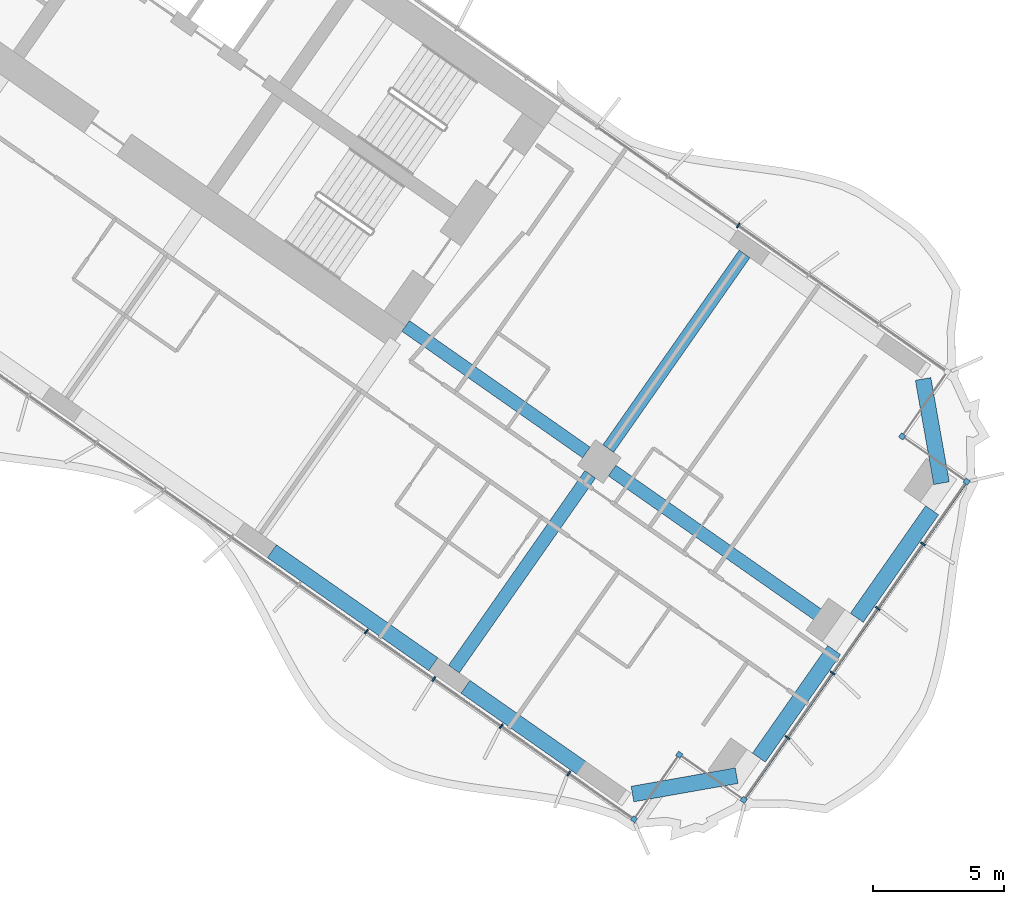
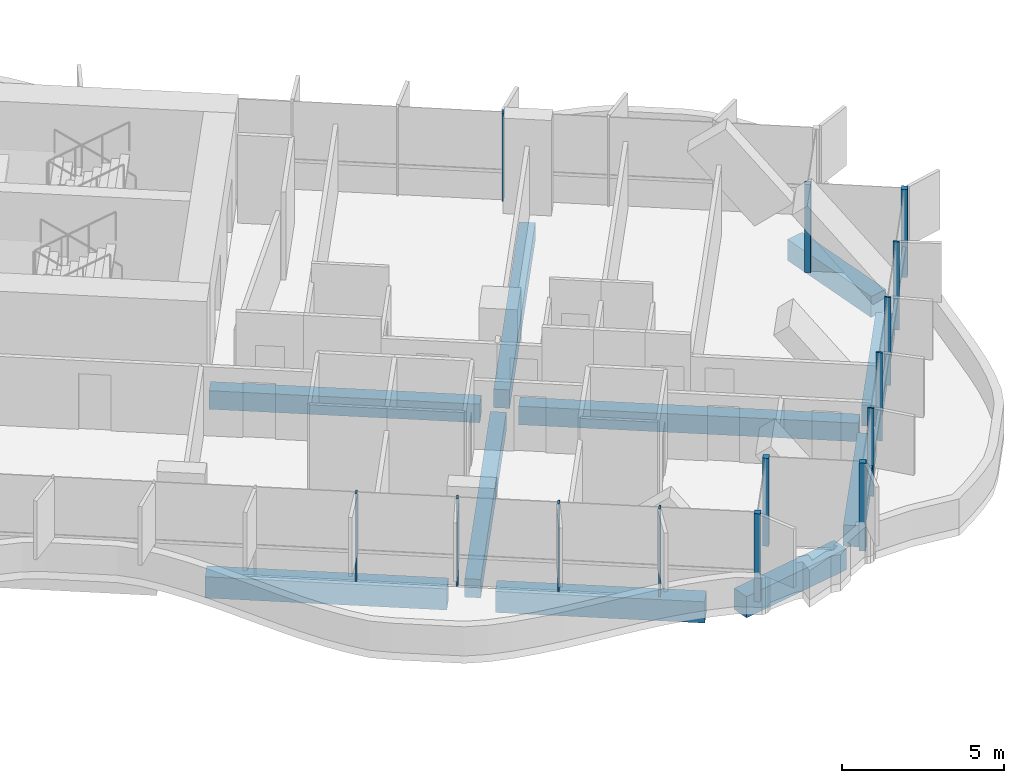
# One storey, part 9 of 24: 15 members, 10 beams, 1 element without a shape of its own.
"""IFC4 building model written with IfcOpenShell, lengths in metres."""

from ifc_helpers import new_model, si_unit, direction, frame, origin, origin_2d, place, context, subcontext, project, spatial, rectangle, extrude, material, material_profile, profile_set, type_object, element, aggregate, save


model = new_model("IFC4")

# Units and contexts
model_context = context("Model", 3, precision=1e-05, world=origin(), true_north=direction((0.0, 1.0)))
body_context = subcontext(model_context, "Body", "Model", "MODEL_VIEW")
ifc_project = project(units=[si_unit("LENGTHUNIT", "METRE"), si_unit("AREAUNIT", "SQUARE_METRE"), si_unit("VOLUMEUNIT", "CUBIC_METRE"), si_unit("PLANEANGLEUNIT", "RADIAN"), si_unit("MASSUNIT", "GRAM", prefix="KILO")], contexts=[model_context])

# Site, building, storey
site_placement = place(None, origin())
site = spatial("IfcSite", under=ifc_project, at=site_placement, CompositionType="ELEMENT")
building_placement = place(site_placement, origin())
building = spatial("IfcBuilding", under=site, at=building_placement, Name="Tel Ilan Convention Tower", CompositionType="ELEMENT")
storey_placement = place(building_placement, frame((0.0, 0.0, 72.5)))
storey = spatial("IfcBuildingStorey", under=building, at=storey_placement, Name="L13", CompositionType="ELEMENT", Elevation=72.5)

# Beams
ifc_material_1 = material(Name="Concrete C40/50", Category="concrete")
ifc_material_profile_1 = material_profile(ifc_material_1, rectangle(XDim=0.5, YDim=0.699951171875, at=origin_2d()), Name="RC 500x700")
ifc_profile_set_1 = profile_set([ifc_material_profile_1], Name="Concrete C40/50")
beam_type_1 = type_object("IfcBeamType", Name="Beam RC 500x700 Concrete C40/50", PredefinedType="BEAM", material=ifc_profile_set_1)
beam_1_placement = place(storey_placement, frame((22.1171875, -15.486572265625, -0.6298828125), z_axis=(0.819147254605, -0.573583276668, 0.0), x_axis=(0.573583276668, 0.819147254605, 0.0)))
element("IfcBeam", 1, at=beam_1_placement, inside=storey, type_object=beam_type_1, Name="L13 beam E-core-E-M4", PredefinedType="BEAM", context=body_context, shape_type="SweptSolid", body=[
    extrude(rectangle(XDim=0.5, YDim=0.699951171875, at=origin_2d()), origin(), (0.0, 0.0, 1.0), 8.400146484375),
])
beam_2_placement = place(storey_placement, frame((29.98095703125, -20.992919921875, -0.6298828125), z_axis=(0.819151461915, -0.573577268067, 0.0), x_axis=(0.573577268067, 0.819151461915, 0.0)))
element("IfcBeam", 2, at=beam_2_placement, inside=storey, type_object=beam_type_1, Name="L13 beam E-E-M4-end", PredefinedType="BEAM", context=body_context, shape_type="SweptSolid", body=[
    extrude(rectangle(XDim=0.5, YDim=0.699951171875, at=origin_2d()), origin(), (0.0, 0.0, 1.0), 10.550048828125),
])
for number, where, z_axis, x_axis, name in (
    (3, (29.145263671875, -21.14013671875, -0.6298828125), (-0.573549245583, -0.819171082798, 0.0), (0.819171082798, -0.573549245583, 0.0), "L13 beam E-E-M4-E-F4"),
    (4, (29.83349609375, -20.1572265625, -0.6298828125), (0.57358002233, 0.819149533348, 0.0), (-0.819149533348, 0.57358002233, 0.0), "L13 beam E-E-M4-E-B4"),
):
    element("IfcBeam", number, at=place(storey_placement, frame(where, z_axis=z_axis, x_axis=x_axis)), inside=storey, type_object=beam_type_1, Name=name, PredefinedType="BEAM", context=body_context, shape_type="SweptSolid", body=[
        extrude(rectangle(XDim=0.5, YDim=0.699951171875, at=origin_2d()), origin(), (0.0, 0.0, 1.0), 9.050048828125),
    ])
ifc_material_2 = material(Name="Concrete C40/50", Category="concrete")
ifc_material_profile_2 = material_profile(ifc_material_2, rectangle(XDim=0.60009765625, YDim=0.800048828125, at=origin_2d()), Name="RC 600x800")
ifc_profile_set_2 = profile_set([ifc_material_profile_2], Name="Concrete C40/50")
beam_type_2 = type_object("IfcBeamType", Name="Beam RC 600x800 Concrete C40/50", PredefinedType="BEAM", material=ifc_profile_set_2)
beam_3_placement = place(storey_placement, frame((17.0244140625, -24.0673828125, -0.679931640625), z_axis=(0.81915238829, -0.573575945067, 0.0), x_axis=(0.573575945067, 0.81915238829, 0.0)))
element("IfcBeam", 5, at=beam_3_placement, inside=storey, type_object=beam_type_2, Name="L13 beam E-E-F3-E-F4", PredefinedType="BEAM", context=body_context, shape_type="SweptSolid", body=[
    extrude(rectangle(XDim=0.60009765625, YDim=0.800048828125, at=origin_2d()), origin(), (0.0, 0.0, 1.0), 7.5),
])
beam_4_placement = place(storey_placement, frame((24.396728515625, -29.2294921875, -0.679931640625), z_axis=(0.819148977158, -0.573580816643, 0.0), x_axis=(0.573580816643, 0.819148977158, 0.0)))
element("IfcBeam", 6, at=beam_4_placement, inside=storey, type_object=beam_type_2, Name="L13 beam E-E-F4-E-FC", PredefinedType="BEAM", context=body_context, shape_type="SweptSolid", body=[
    extrude(rectangle(XDim=0.60009765625, YDim=0.800048828125, at=origin_2d()), origin(), (0.0, 0.0, 1.0), 6.5),
])
beam_5_placement = place(storey_placement, frame((30.75341796875, -33.314208984375, -0.679931640625), z_axis=(0.984815252405, 0.173605641124, 0.0), x_axis=(-0.173605641124, 0.984815252405, 0.0)))
element("IfcBeam", 7, at=beam_5_placement, inside=storey, type_object=beam_type_2, Name="L13 beam E-E-FC-E-E1", PredefinedType="BEAM", context=body_context, shape_type="SweptSolid", body=[
    extrude(rectangle(XDim=0.60009765625, YDim=0.800048828125, at=origin_2d()), origin(), (0.0, 0.0, 1.0), 4.030517578125),
])
for number, where, z_axis, x_axis, name in (
    (8, (35.57080078125, -31.92626953125, -0.679931640625), (0.573586866468, 0.819144740944, 0.0), (-0.819144740944, 0.573586866468, 0.0), "L13 beam E-E-E1-E-E2"),
    (9, (39.298828125, -26.601806640625, -0.679931640625), (0.573586866468, 0.819144740944, 0.0), (-0.819144740944, 0.573586866468, 0.0), "L13 beam E-E-E2-E-E3"),
):
    element("IfcBeam", number, at=place(storey_placement, frame(where, z_axis=z_axis, x_axis=x_axis)), inside=storey, type_object=beam_type_2, Name=name, PredefinedType="BEAM", context=body_context, shape_type="SweptSolid", body=[
        extrude(rectangle(XDim=0.60009765625, YDim=0.800048828125, at=origin_2d()), origin(), (0.0, 0.0, 1.0), 5.0),
    ])
beam_6_placement = place(storey_placement, frame((42.523193359375, -21.473876953125, -0.679931640625), z_axis=(-0.173605641124, 0.984815252405, 0.0), x_axis=(-0.984815252405, -0.173605641124, 0.0)))
element("IfcBeam", 10, at=beam_6_placement, inside=storey, type_object=beam_type_2, Name="L13 beam E-E-E3-E-BC", PredefinedType="BEAM", context=body_context, shape_type="SweptSolid", body=[
    extrude(rectangle(XDim=0.60009765625, YDim=0.800048828125, at=origin_2d()), origin(), (0.0, 0.0, 1.0), 4.030517578125),
])

# Curtain wall, members
ifc_material_3 = material(Name="Aluminium, bronze anodised", Category="aluminium")
curtain_wall_type = type_object("IfcCurtainWallType", Name="CW1 UNITISED CURTAIN WALL, HOTEL TINTED GLASS", PredefinedType="NOTDEFINED", material=ifc_material_3)
curtain_wall_placement = place(storey_placement, origin())
curtain_wall = element("IfcCurtainWall", 11, at=curtain_wall_placement, inside=storey, type_object=curtain_wall_type, Name="Curtain wall CW1-13.02", PredefinedType="NOTDEFINED")
ifc_material_4 = material(Name="Aluminium, bronze anodised", Category="aluminium")
ifc_material_profile_3 = material_profile(ifc_material_4, rectangle(XDim=0.199951171875, YDim=0.199951171875, at=origin_2d()), Name="CW CORNER MULLION 200x200")
ifc_profile_set_3 = profile_set([ifc_material_profile_3], Name="Aluminium, bronze anodised")
member_type_1 = type_object("IfcMemberType", Name="CW CORNER MULLION 200x200", PredefinedType="MULLION", material=ifc_profile_set_3)
member_1_placement = place(storey_placement, frame((30.814697265625, -34.272705078125, 0.0), z_axis=(0.0, 0.0, 1.0), x_axis=(0.819152044289, -0.573576436351, 0.0)))
member_1 = element("IfcMember", 12, at=member_1_placement, type_object=member_type_1, Name="Corner mullion", PredefinedType="MULLION", context=body_context, shape_type="SweptSolid", body=[
    extrude(rectangle(XDim=0.199951171875, YDim=0.199951171875, at=origin_2d()), origin(), (0.0, 0.0, 1.0), 3.320068359375),
])
member_2_placement = place(storey_placement, frame((32.535400390625, -31.815185546875, 0.0), z_axis=(0.0, 0.0, 1.0), x_axis=(0.573576436351, 0.819152044289, 0.0)))
member_2 = element("IfcMember", 13, at=member_2_placement, type_object=member_type_1, Name="Corner mullion", PredefinedType="MULLION", context=body_context, shape_type="SweptSolid", body=[
    extrude(rectangle(XDim=0.199951171875, YDim=0.199951171875, at=origin_2d()), origin(), (0.0, 0.0, 1.0), 3.320068359375),
])
member_3_placement = place(storey_placement, frame((34.992919921875, -33.5361328125, 0.0), z_axis=(0.0, 0.0, 1.0), x_axis=(0.819152044289, -0.573576436351, 0.0)))
member_3 = element("IfcMember", 14, at=member_3_placement, type_object=member_type_1, Name="Corner mullion", PredefinedType="MULLION", context=body_context, shape_type="SweptSolid", body=[
    extrude(rectangle(XDim=0.199951171875, YDim=0.199951171875, at=origin_2d()), origin(), (0.0, 0.0, 1.0), 3.320068359375),
])
member_4_placement = place(storey_placement, frame((43.48193359375, -21.41259765625, 0.0), z_axis=(0.0, 0.0, 1.0), x_axis=(0.573576436351, 0.819152044289, 0.0)))
member_4 = element("IfcMember", 15, at=member_4_placement, type_object=member_type_1, Name="Corner mullion", PredefinedType="MULLION", context=body_context, shape_type="SweptSolid", body=[
    extrude(rectangle(XDim=0.199951171875, YDim=0.199951171875, at=origin_2d()), origin(), (0.0, 0.0, 1.0), 3.320068359375),
])
member_5_placement = place(storey_placement, frame((41.0244140625, -19.69189453125, 0.0), z_axis=(0.0, 0.0, 1.0), x_axis=(-0.819152044289, 0.573576436351, 0.0)))
member_5 = element("IfcMember", 16, at=member_5_placement, type_object=member_type_1, Name="Corner mullion", PredefinedType="MULLION", context=body_context, shape_type="SweptSolid", body=[
    extrude(rectangle(XDim=0.199951171875, YDim=0.199951171875, at=origin_2d()), origin(), (0.0, 0.0, 1.0), 3.320068359375),
])
ifc_material_5 = material(Name="Aluminium, bronze anodised", Category="aluminium")
ifc_material_profile_4 = material_profile(ifc_material_5, rectangle(XDim=0.06005859375, YDim=0.199951171875, at=origin_2d()), Name="CW MULLION 60x200")
ifc_profile_set_4 = profile_set([ifc_material_profile_4], Name="Aluminium, bronze anodised")
member_type_2 = type_object("IfcMemberType", Name="CW MULLION 60x200", PredefinedType="MULLION", material=ifc_profile_set_4)
member_6_placement = place(storey_placement, frame((20.616943359375, -27.132080078125, 0.0), z_axis=(0.0, 0.0, 1.0), x_axis=(0.819152044289, -0.573576436351, 0.0)))
member_6 = element("IfcMember", 17, at=member_6_placement, type_object=member_type_2, Name="Mullion", PredefinedType="MULLION", context=body_context, shape_type="SweptSolid", body=[
    extrude(rectangle(XDim=0.06005859375, YDim=0.199951171875, at=origin_2d()), origin(), (0.0, 0.0, 1.0), 3.320068359375),
])
member_7_placement = place(storey_placement, frame((23.186767578125, -28.931640625, 0.0), z_axis=(0.0, 0.0, 1.0), x_axis=(0.819152044289, -0.573576436351, 0.0)))
member_7 = element("IfcMember", 18, at=member_7_placement, type_object=member_type_2, Name="Mullion", PredefinedType="MULLION", context=body_context, shape_type="SweptSolid", body=[
    extrude(rectangle(XDim=0.06005859375, YDim=0.199951171875, at=origin_2d()), origin(), (0.0, 0.0, 1.0), 3.320068359375),
])
member_8_placement = place(storey_placement, frame((25.7568359375, -30.731201171875, 0.0), z_axis=(0.0, 0.0, 1.0), x_axis=(0.819152044289, -0.573576436351, 0.0)))
member_8 = element("IfcMember", 19, at=member_8_placement, type_object=member_type_2, Name="Mullion", PredefinedType="MULLION", context=body_context, shape_type="SweptSolid", body=[
    extrude(rectangle(XDim=0.06005859375, YDim=0.199951171875, at=origin_2d()), origin(), (0.0, 0.0, 1.0), 3.320068359375),
])
member_9_placement = place(storey_placement, frame((28.32666015625, -32.530517578125, 0.0), z_axis=(0.0, 0.0, 1.0), x_axis=(0.819152044289, -0.573576436351, 0.0)))
member_9 = element("IfcMember", 20, at=member_9_placement, type_object=member_type_2, Name="Mullion", PredefinedType="MULLION", context=body_context, shape_type="SweptSolid", body=[
    extrude(rectangle(XDim=0.06005859375, YDim=0.199951171875, at=origin_2d()), origin(), (0.0, 0.0, 1.0), 3.320068359375),
])
member_10_placement = place(storey_placement, frame((36.65625, -31.160400390625, 0.0), z_axis=(0.0, 0.0, 1.0), x_axis=(0.573576436351, 0.819152044289, 0.0)))
member_10 = element("IfcMember", 21, at=member_10_placement, type_object=member_type_2, Name="Mullion", PredefinedType="MULLION", context=body_context, shape_type="SweptSolid", body=[
    extrude(rectangle(XDim=0.06005859375, YDim=0.199951171875, at=origin_2d()), origin(), (0.0, 0.0, 1.0), 3.320068359375),
])
member_11_placement = place(storey_placement, frame((38.376953125, -28.703125, 0.0), z_axis=(0.0, 0.0, 1.0), x_axis=(0.573576436351, 0.819152044289, 0.0)))
member_11 = element("IfcMember", 22, at=member_11_placement, type_object=member_type_2, Name="Mullion", PredefinedType="MULLION", context=body_context, shape_type="SweptSolid", body=[
    extrude(rectangle(XDim=0.06005859375, YDim=0.199951171875, at=origin_2d()), origin(), (0.0, 0.0, 1.0), 3.320068359375),
])
member_12_placement = place(storey_placement, frame((40.09765625, -26.24560546875, 0.0), z_axis=(0.0, 0.0, 1.0), x_axis=(0.573576436351, 0.819152044289, 0.0)))
member_12 = element("IfcMember", 23, at=member_12_placement, type_object=member_type_2, Name="Mullion", PredefinedType="MULLION", context=body_context, shape_type="SweptSolid", body=[
    extrude(rectangle(XDim=0.06005859375, YDim=0.199951171875, at=origin_2d()), origin(), (0.0, 0.0, 1.0), 3.320068359375),
])
member_13_placement = place(storey_placement, frame((41.818359375, -23.7880859375, 0.0), z_axis=(0.0, 0.0, 1.0), x_axis=(0.573576436351, 0.819152044289, 0.0)))
member_13 = element("IfcMember", 24, at=member_13_placement, type_object=member_type_2, Name="Mullion", PredefinedType="MULLION", context=body_context, shape_type="SweptSolid", body=[
    extrude(rectangle(XDim=0.06005859375, YDim=0.199951171875, at=origin_2d()), origin(), (0.0, 0.0, 1.0), 3.320068359375),
])
member_14_placement = place(storey_placement, frame((34.7861328125, -11.66162109375, 0.0), z_axis=(0.0, 0.0, 1.0), x_axis=(-0.819152044289, 0.573576436351, 0.0)))
member_14 = element("IfcMember", 25, at=member_14_placement, type_object=member_type_2, Name="Mullion", PredefinedType="MULLION", context=body_context, shape_type="SweptSolid", body=[
    extrude(rectangle(XDim=0.06005859375, YDim=0.199951171875, at=origin_2d()), origin(), (0.0, 0.0, 1.0), 3.320068359375),
])
ifc_material_6 = material(Name="Aluminium, bronze anodised", Category="aluminium")
ifc_material_profile_5 = material_profile(ifc_material_6, rectangle(XDim=0.10009765625, YDim=0.1201171875, at=origin_2d()), Name="CW TRANSOM 100x120")
ifc_profile_set_5 = profile_set([ifc_material_profile_5], Name="Aluminium, bronze anodised")
member_type_3 = type_object("IfcMemberType", Name="CW TRANSOM 100x120", PredefinedType="USERDEFINED", material=ifc_profile_set_5)
member_15_placement = place(storey_placement, frame((35.05029296875, -33.4541015625, 1.10009765625), z_axis=(0.573575688231, 0.819152568128, 0.0), x_axis=(-0.819152568128, 0.573575688231, 0.0)))
member_15 = element("IfcMember", 26, at=member_15_placement, type_object=member_type_3, Name="Transom", ObjectType="TRANSOM", PredefinedType="USERDEFINED", context=body_context, shape_type="SweptSolid", body=[
    extrude(rectangle(XDim=0.10009765625, YDim=0.1201171875, at=origin_2d()), origin(), (0.0, 0.0, 1.0), 14.60009765625),
])
aggregate(curtain_wall, [member_6, member_7, member_8, member_9, member_1, member_2, member_3, member_10, member_11, member_12, member_13, member_4, member_15, member_5, member_14])

save(model, "model.ifc")
